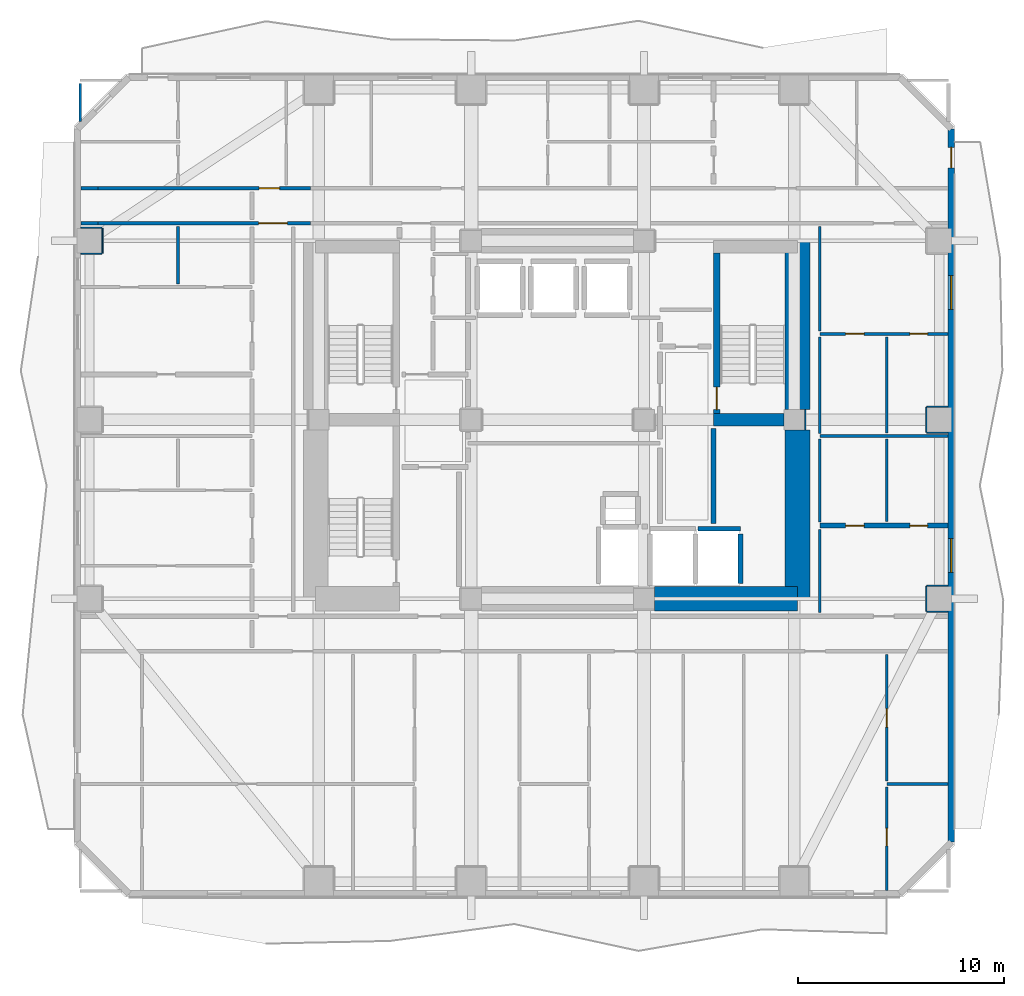
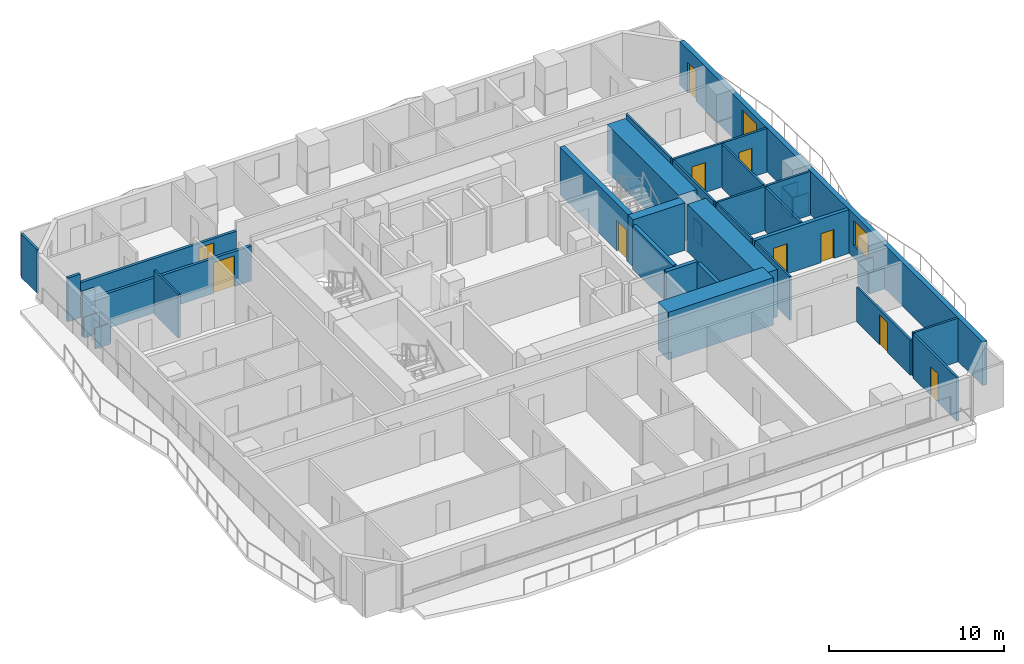
# One storey, part 5 of 11: 37 walls, 10 doors, 2 windows, 12 openings.
"""IFC4 building model written with IfcOpenShell, lengths in metres."""

from ifc_helpers import new_model, si_unit, direction, frame, frame_2d, origin, place, context, subcontext, project, spatial, rectangle, extrude, material, layer, layer_set, type_object, element, fill, save


model = new_model("IFC4")

# Units and contexts
model_context = context("Model", 3, precision=1e-05, world=origin(), true_north=direction((0.0, 1.0)))
body_context = subcontext(model_context, "Body", "Model", "MODEL_VIEW")
ifc_project = project(units=[si_unit("LENGTHUNIT", "METRE"), si_unit("AREAUNIT", "SQUARE_METRE"), si_unit("VOLUMEUNIT", "CUBIC_METRE"), si_unit("PLANEANGLEUNIT", "RADIAN"), si_unit("MASSUNIT", "GRAM", prefix="KILO")], contexts=[model_context])

# Site, building, storey
site_placement = place(None, origin())
site = spatial("IfcSite", under=ifc_project, at=site_placement, CompositionType="ELEMENT")
building_placement = place(site_placement, origin())
building = spatial("IfcBuilding", under=site, at=building_placement, Name="Solanera Arch Residences", CompositionType="ELEMENT")
storey_placement = place(building_placement, frame((0.0, 0.0, 25.320068359375)))
storey = spatial("IfcBuildingStorey", under=building, at=storey_placement, Name="L06", CompositionType="ELEMENT", Elevation=25.320068359375)

# Walls
ifc_material_1 = material(Name="Fire-Rated Gypsum Stud Partition", Category="gypsum")
ifc_layer_1 = layer(ifc_material_1, 0.06005859375)
ifc_layer_set_1 = layer_set([ifc_layer_1], Name="Fire-Rated Gypsum Stud Partition")
wall_type_1 = type_object("IfcWallType", Name="Column Acoustic Furring Wall 60", PredefinedType="PARTITIONING", material=ifc_layer_set_1)
wall_1_placement = place(storey_placement, frame((37.031982421875, 30.2099609375, 0.0), z_axis=(0.0, 0.0, 1.0), x_axis=(0.0, 1.0, 0.0)))
element("IfcWall", 1, at=wall_1_placement, inside=storey, type_object=wall_type_1, Name="L06 Column Furring 6E", PredefinedType="PARTITIONING", context=body_context, shape_type="SweptSolid", body=[
    extrude(rectangle(XDim=0.97998046875, YDim=0.06005859375, at=frame_2d((0.489990234375, 0.0))), origin(), (0.0, 0.0, 1.0), 1.449951171875),
])
for number, where, z_axis, x_axis, name in (
    (2, (42.949951171875, 21.367919921875, 0.0), (0.0, 0.0, 1.0), (1.0, 0.0, 0.0), "L06 Column Furring 18S"),
    (3, (42.949951171875, 22.632080078125, 0.0), (0.0, 0.0, 1.0), (1.0, 0.0, 0.0), "L06 Column Furring 18N"),
):
    element("IfcWall", number, at=place(storey_placement, frame(where, z_axis=z_axis, x_axis=x_axis)), inside=storey, type_object=wall_type_1, Name=name, PredefinedType="PARTITIONING", context=body_context, shape_type="SweptSolid", body=[
        extrude(rectangle(XDim=1.02001953125, YDim=0.06005859375, at=frame_2d((0.510009765625, 0.0))), origin(), (0.0, 0.0, 1.0), 1.449951171875),
    ])
wall_2_placement = place(storey_placement, frame((42.91796875, 21.39990234375, 0.0), z_axis=(0.0, 0.0, 1.0), x_axis=(0.0, 1.0, 0.0)))
element("IfcWall", 4, at=wall_2_placement, inside=storey, type_object=wall_type_1, Name="L06 Column Furring 18W", PredefinedType="PARTITIONING", context=body_context, shape_type="SweptSolid", body=[
    extrude(rectangle(XDim=1.2001953125, YDim=0.06005859375, at=frame_2d((0.60009765625, 0.0))), origin(), (0.0, 0.0, 1.0), 1.449951171875),
])
for number, where, z_axis, x_axis, name in (
    (5, (42.949951171875, 30.068115234375, 0.0), (0.0, 0.0, 1.0), (1.0, 0.0, 0.0), "L06 Column Furring 20S"),
    (6, (42.949951171875, 31.33203125, 0.0), (0.0, 0.0, 1.0), (1.0, 0.0, 0.0), "L06 Column Furring 20N"),
):
    element("IfcWall", number, at=place(storey_placement, frame(where, z_axis=z_axis, x_axis=x_axis)), inside=storey, type_object=wall_type_1, Name=name, PredefinedType="PARTITIONING", context=body_context, shape_type="SweptSolid", body=[
        extrude(rectangle(XDim=1.02001953125, YDim=0.06005859375, at=frame_2d((0.510009765625, 0.0))), origin(), (0.0, 0.0, 1.0), 1.449951171875),
    ])
wall_3_placement = place(storey_placement, frame((42.91796875, 30.10009765625, 0.0), z_axis=(0.0, 0.0, 1.0), x_axis=(0.0, 1.0, 0.0)))
element("IfcWall", 7, at=wall_3_placement, inside=storey, type_object=wall_type_1, Name="L06 Column Furring 20W", PredefinedType="PARTITIONING", context=body_context, shape_type="SweptSolid", body=[
    extrude(rectangle(XDim=1.199951171875, YDim=0.06005859375, at=frame_2d((0.60009765625, 0.0))), origin(), (0.0, 0.0, 1.0), 1.449951171875),
])
for number, where, z_axis, x_axis, name in (
    (8, (1.830078125, 38.76806640625, 0.0), (0.0, 0.0, 1.0), (1.0, 0.0, 0.0), "L06 Column Furring 21S"),
    (9, (1.830078125, 40.031982421875, 0.0), (0.0, 0.0, 1.0), (1.0, 0.0, 0.0), "L06 Column Furring 21N"),
):
    element("IfcWall", number, at=place(storey_placement, frame(where, z_axis=z_axis, x_axis=x_axis)), inside=storey, type_object=wall_type_1, Name=name, PredefinedType="PARTITIONING", context=body_context, shape_type="SweptSolid", body=[
        extrude(rectangle(XDim=1.02001953125, YDim=0.06005859375, at=frame_2d((0.510009765625, 0.0))), origin(), (0.0, 0.0, 1.0), 1.449951171875),
    ])
wall_4_placement = place(storey_placement, frame((2.882080078125, 38.800048828125, 0.0), z_axis=(0.0, 0.0, 1.0), x_axis=(0.0, 1.0, 0.0)))
element("IfcWall", 10, at=wall_4_placement, inside=storey, type_object=wall_type_1, Name="L06 Column Furring 21E", PredefinedType="PARTITIONING", context=body_context, shape_type="SweptSolid", body=[
    extrude(rectangle(XDim=1.199951171875, YDim=0.06005859375, at=frame_2d((0.60009765625, 0.0))), origin(), (0.0, 0.0, 1.0), 1.449951171875),
])
ifc_material_2 = material(Name="Concrete C55/67 (f'c = 60 MPa)", Category="concrete")
ifc_layer_2 = layer(ifc_material_2, 1.199951171875)
ifc_layer_set_2 = layer_set([ifc_layer_2], Name="Concrete C55/67 (f'c = 60 MPa)")
wall_type_2 = type_object("IfcWallType", Name="Core Shear Wall CW-1200", PredefinedType="SHEAR", material=ifc_layer_set_2)
wall_5_placement = place(storey_placement, frame((36.659912109375, 22.0, 0.0), z_axis=(0.0, 0.0, 1.0), x_axis=(0.0, 1.0, 0.0)))
element("IfcWall", 11, at=wall_5_placement, inside=storey, type_object=wall_type_2, Name="L06 East Core South Shear Wall", PredefinedType="SHEAR", context=body_context, shape_type="SweptSolid", body=[
    extrude(rectangle(XDim=8.195068359375, YDim=1.199951171875, at=frame_2d((4.09765625, 0.0))), origin(), (0.0, 0.0, 1.0), 3.31982421875),
])
wall_6_placement = place(storey_placement, frame((36.659912109375, 31.205078125, 0.0), z_axis=(0.0, 0.0, 1.0), x_axis=(0.0, 1.0, 0.0)))
element("IfcWall", 12, at=wall_6_placement, inside=storey, type_object=wall_type_2, Name="L06 East Core North Shear Wall", PredefinedType="SHEAR", context=body_context, shape_type="SweptSolid", body=[
    extrude(rectangle(XDim=8.19482421875, YDim=1.199951171875, at=frame_2d((4.097412109375, 0.0))), origin(), (0.0, 0.0, 1.0), 3.31982421875),
])
wall_7_placement = place(storey_placement, frame((29.705078125, 22.0, 0.0), z_axis=(0.0, 0.0, 1.0), x_axis=(1.0, 0.0, 0.0)))
element("IfcWall", 13, at=wall_7_placement, inside=storey, type_object=wall_type_2, Name="L06 South-East Core Shear Wall", PredefinedType="SHEAR", context=body_context, shape_type="SweptSolid", body=[
    extrude(rectangle(XDim=6.954833984375, YDim=1.199951171875, at=frame_2d((3.4775390625, 0.0))), origin(), (0.0, 0.0, 1.0), 3.31982421875),
])

# Wall, opening, door
ifc_material_3 = material(Name="Concrete C40/50 (f'c = 45 MPa)", Category="concrete")
ifc_layer_3 = layer(ifc_material_3, 0.320068359375)
ifc_layer_set_3 = layer_set([ifc_layer_3], Name="Concrete C40/50 (f'c = 45 MPa)")
wall_type_3 = type_object("IfcWallType", Name="Core Shear Wall CW-320", PredefinedType="SHEAR", material=ifc_layer_set_3)
wall_8_placement = place(storey_placement, frame((32.739990234375, 31.0, 0.0), z_axis=(0.0, 0.0, 1.0), x_axis=(0.0, 1.0, 0.0)))
wall_8 = element("IfcWall", 14, at=wall_8_placement, inside=storey, type_object=wall_type_3, Name="L06 Stair ST-T2 West Shear Wall", PredefinedType="SHEAR", context=body_context, shape_type="SweptSolid", body=[
    extrude(rectangle(XDim=7.800048828125, YDim=0.320068359375, at=frame_2d((3.89990234375, 0.0))), origin(), (0.0, 0.0, 1.0), 3.31982421875),
])
opening_1_placement = place(wall_8_placement, frame((0.18994140625, 0.0, 0.0)))
opening_1 = element("IfcOpeningElement", 15, at=opening_1_placement, cuts=wall_8, Name="Opening DF-01", PredefinedType="OPENING", context=body_context, shape_type="SweptSolid", body=[
    extrude(rectangle(XDim=1.10009765625, YDim=2.14990234375, at=frame_2d((0.550048828125, 1.074951171875))), frame((0.0, 0.169921875, 0.0), z_axis=(0.0, -1.0, 0.0), x_axis=(1.0, 0.0, 0.0)), (0.0, 0.0, 1.0), 0.3401),
])
ifc_material_4 = material(Name="Fire-Rated Architectural Hardwood", Category="wood")
door_type_1 = type_object("IfcDoorType", Name="Stair Exit Fire Door DF-01", OperationType="NOTDEFINED", PredefinedType="DOOR", material=ifc_material_4)
door_1_placement = place(opening_1_placement, origin())
door_1 = element("IfcDoor", 16, at=door_1_placement, inside=storey, type_object=door_type_1, Name="DR-L06-STAIR-ST-T2", OperationType="SINGLE_SWING_RIGHT", OverallHeight=2.14990234375, OverallWidth=1.10009765625, PredefinedType="DOOR", context=body_context, shape_type="SweptSolid", body=[
    extrude(rectangle(XDim=1.10009765625, YDim=2.14990234375, at=frame_2d((0.550048828125, 1.074951171875))), frame((0.0, 0.02490234375, 0.0), z_axis=(0.0, -1.0, 0.0), x_axis=(1.0, 0.0, 0.0)), (0.0, 0.0, 1.0), 0.050048828125),
])
fill(opening_1, door_1)

# Walls
ifc_material_5 = material(Name="Concrete C40/50 (f'c = 45 MPa)", Category="concrete")
ifc_layer_4 = layer(ifc_material_5, 0.60009765625)
ifc_layer_set_4 = layer_set([ifc_layer_4], Name="Concrete C40/50 (f'c = 45 MPa)")
wall_type_4 = type_object("IfcWallType", Name="Core Shear Wall CW-600", PredefinedType="SHEAR", material=ifc_layer_set_4)
wall_9_placement = place(storey_placement, frame((32.580078125, 30.699951171875, 0.0), z_axis=(0.0, 0.0, 1.0), x_axis=(1.0, 0.0, 0.0)))
element("IfcWall", 17, at=wall_9_placement, inside=storey, type_object=wall_type_4, Name="L06 East Stair Far-Landing Shear Wall", PredefinedType="SHEAR", context=body_context, shape_type="SweptSolid", body=[
    extrude(rectangle(XDim=3.4150390625, YDim=0.60009765625, at=frame_2d((1.70751953125, 0.0))), origin(), (0.0, 0.0, 1.0), 3.31982421875),
])
ifc_material_6 = material(Name="Autoclaved Aerated Concrete Blockwork", Category="masonry")
ifc_layer_5 = layer(ifc_material_6, 0.179931640625)
ifc_layer_set_5 = layer_set([ifc_layer_5], Name="Autoclaved Aerated Concrete Blockwork")
wall_type_5 = type_object("IfcWallType", Name="Corridor Fire Partition 180", PredefinedType="PARTITIONING", material=ifc_layer_set_5)
wall_10_placement = place(storey_placement, frame((1.826904296875, 40.25, 0.0), z_axis=(0.0, 0.0, 1.0), x_axis=(1.0, 0.0, 0.0)))
element("IfcWall", 18, at=wall_10_placement, inside=storey, type_object=wall_type_5, Name="L06 Interior Partition H12 1", PredefinedType="PARTITIONING", context=body_context, shape_type="SweptSolid", body=[
    extrude(rectangle(XDim=0.833984375, YDim=0.179931640625, at=frame_2d((0.4169921875, 0.0))), origin(), (0.0, 0.0, 1.0), 3.059814453125),
])

# Wall, opening, door
wall_11_placement = place(storey_placement, frame((2.660888671875, 40.25, 0.0), z_axis=(0.0, 0.0, 1.0), x_axis=(1.0, 0.0, 0.0)))
wall_11 = element("IfcWall", 19, at=wall_11_placement, inside=storey, type_object=wall_type_5, Name="L06 Interior Partition H12 2", PredefinedType="PARTITIONING", context=body_context, shape_type="SweptSolid", body=[
    extrude(rectangle(XDim=10.328125, YDim=0.179931640625, at=frame_2d((5.1640625, 0.0))), origin(), (0.0, 0.0, 1.0), 2.44482421875),
])
opening_2_placement = place(wall_11_placement, frame((7.81298828125, 0.0, 0.0)))
opening_2 = element("IfcOpeningElement", 20, at=opening_2_placement, cuts=wall_11, Name="Opening DF-03", PredefinedType="OPENING", context=body_context, shape_type="SweptSolid", body=[
    extrude(rectangle(XDim=1.39990234375, YDim=2.14990234375, at=frame_2d((0.699951171875, 1.074951171875))), frame((0.0, 0.10009765625, 0.0), z_axis=(0.0, -1.0, 0.0), x_axis=(1.0, 0.0, 0.0)), (0.0, 0.0, 1.0), 0.1999),
])
ifc_material_7 = material(Name="Fire-Rated Architectural Hardwood", Category="wood")
door_type_2 = type_object("IfcDoorType", Name="Corridor Smoke Door DF-03", OperationType="NOTDEFINED", PredefinedType="DOOR", material=ifc_material_7)
door_2_placement = place(opening_2_placement, origin())
door_2 = element("IfcDoor", 21, at=door_2_placement, inside=storey, type_object=door_type_2, Name="DR-L06-IN-011", OperationType="SINGLE_SWING_LEFT", OverallHeight=2.14990234375, OverallWidth=1.39990234375, PredefinedType="DOOR", context=body_context, shape_type="SweptSolid", body=[
    extrude(rectangle(XDim=1.39990234375, YDim=2.14990234375, at=frame_2d((0.699951171875, 1.074951171875))), frame((0.0, 0.02490234375, 0.0), z_axis=(0.0, -1.0, 0.0), x_axis=(1.0, 0.0, 0.0)), (0.0, 0.0, 1.0), 0.050048828125),
])
fill(opening_2, door_2)

# Wall
wall_12_placement = place(storey_placement, frame((1.826904296875, 41.949951171875, 0.0), z_axis=(0.0, 0.0, 1.0), x_axis=(1.0, 0.0, 0.0)))
element("IfcWall", 22, at=wall_12_placement, inside=storey, type_object=wall_type_5, Name="L06 Interior Partition H13 1", PredefinedType="PARTITIONING", context=body_context, shape_type="SweptSolid", body=[
    extrude(rectangle(XDim=0.833984375, YDim=0.179931640625, at=frame_2d((0.4169921875, 0.0))), origin(), (0.0, 0.0, 1.0), 3.059814453125),
])

# Wall, opening, door
wall_13_placement = place(storey_placement, frame((2.660888671875, 41.949951171875, 0.0), z_axis=(0.0, 0.0, 1.0), x_axis=(1.0, 0.0, 0.0)))
wall_13 = element("IfcWall", 23, at=wall_13_placement, inside=storey, type_object=wall_type_5, Name="L06 Interior Partition H13 2", PredefinedType="PARTITIONING", context=body_context, shape_type="SweptSolid", body=[
    extrude(rectangle(XDim=10.328125, YDim=0.179931640625, at=frame_2d((5.1640625, 0.0))), origin(), (0.0, 0.0, 1.0), 2.44482421875),
])
opening_3_placement = place(wall_13_placement, frame((7.833984375, 0.0, 0.0)))
opening_3 = element("IfcOpeningElement", 24, at=opening_3_placement, cuts=wall_13, Name="Opening DI-01", PredefinedType="OPENING", context=body_context, shape_type="SweptSolid", body=[
    extrude(rectangle(XDim=1.0, YDim=2.14990234375, at=frame_2d((0.5, 1.074951171875))), frame((0.0, 0.10009765625, 0.0), z_axis=(0.0, -1.0, 0.0), x_axis=(1.0, 0.0, 0.0)), (0.0, 0.0, 1.0), 0.1999),
])
ifc_material_8 = material(Name="Fire-Rated Architectural Hardwood", Category="wood")
door_type_3 = type_object("IfcDoorType", Name="Unit Entrance Fire Door DI-01", OperationType="NOTDEFINED", PredefinedType="DOOR", material=ifc_material_8)
door_3_placement = place(opening_3_placement, origin())
door_3 = element("IfcDoor", 25, at=door_3_placement, inside=storey, type_object=door_type_3, Name="DR-L06-IN-027", OperationType="SINGLE_SWING_LEFT", OverallHeight=2.14990234375, OverallWidth=1.0, PredefinedType="DOOR", context=body_context, shape_type="SweptSolid", body=[
    extrude(rectangle(XDim=1.0, YDim=2.14990234375, at=frame_2d((0.5, 1.074951171875))), frame((0.0, 0.02490234375, 0.0), z_axis=(0.0, -1.0, 0.0), x_axis=(1.0, 0.0, 0.0)), (0.0, 0.0, 1.0), 0.050048828125),
])
fill(opening_3, door_3)

# Wall, openings, door, windows
ifc_material_9 = material(Name="Precast Concrete C35/45", Category="concrete")
ifc_layer_6 = layer(ifc_material_9, 0.300048828125)
ifc_layer_set_6 = layer_set([ifc_layer_6], Name="Precast Concrete C35/45")
wall_type_6 = type_object("IfcWallType", Name="Exterior Wall Precast Masonry-Frame 300", PredefinedType="STANDARD", material=ifc_layer_set_6)
wall_14_placement = place(storey_placement, frame((44.135009765625, 44.8349609375, 0.0), z_axis=(0.0, 0.0, 1.0), x_axis=(0.0, -1.0, 0.0)))
wall_14 = element("IfcWall", 26, at=wall_14_placement, inside=storey, type_object=wall_type_6, Name="L06 Tower Exterior Precast Masonry-Frame Wall E", PredefinedType="STANDARD", context=body_context, shape_type="SweptSolid", body=[
    extrude(rectangle(XDim=34.669921875, YDim=0.300048828125, at=frame_2d((17.3349609375, 0.0))), origin(), (0.0, 0.0, 1.0), 3.059814453125),
])
opening_4_placement = place(wall_14_placement, frame((0.90087890625, 0.0, 0.0)))
opening_4 = element("IfcOpeningElement", 27, at=opening_4_placement, cuts=wall_14, Name="Opening DB-01", PredefinedType="OPENING", context=body_context, shape_type="SweptSolid", body=[
    extrude(rectangle(XDim=1.0, YDim=2.14990234375, at=frame_2d((0.5, 1.074951171875))), frame((0.0, 0.159912109375, 0.0), z_axis=(0.0, -1.0, 0.0), x_axis=(1.0, 0.0, 0.0)), (0.0, 0.0, 1.0), 0.32),
])
opening_5_placement = place(wall_14_placement, frame((19.909912109375, 0.0, 0.85009765625)))
opening_5 = element("IfcOpeningElement", 28, at=opening_5_placement, cuts=wall_14, Name="Opening W-08", PredefinedType="OPENING", context=body_context, shape_type="SweptSolid", body=[
    extrude(rectangle(XDim=1.64990234375, YDim=1.75, at=frame_2d((0.824951171875, 0.875))), frame((0.0, 0.159912109375, 0.0), z_axis=(0.0, -1.0, 0.0), x_axis=(1.0, 0.0, 0.0)), (0.0, 0.0, 1.0), 0.32),
])
opening_6_placement = place(wall_14_placement, frame((7.1259765625, 0.0, 0.85009765625)))
opening_6 = element("IfcOpeningElement", 29, at=opening_6_placement, cuts=wall_14, Name="Opening W-08", PredefinedType="OPENING", context=body_context, shape_type="SweptSolid", body=[
    extrude(rectangle(XDim=1.64990234375, YDim=1.75, at=frame_2d((0.824951171875, 0.875))), frame((0.0, 0.159912109375, 0.0), z_axis=(0.0, -1.0, 0.0), x_axis=(1.0, 0.0, 0.0)), (0.0, 0.0, 1.0), 0.32),
])
ifc_material_10 = material(Name="Anodised Aluminium Alloy 6063-T6", Category="aluminium")
door_type_4 = type_object("IfcDoorType", Name="Glazed Balcony Swing Door DB-01", OperationType="NOTDEFINED", PredefinedType="DOOR", material=ifc_material_10)
door_4_placement = place(opening_4_placement, origin())
door_4 = element("IfcDoor", 30, at=door_4_placement, inside=storey, type_object=door_type_4, Name="DR-L06-OUT-03", OperationType="SINGLE_SWING_RIGHT", OverallHeight=2.14990234375, OverallWidth=1.0, PredefinedType="DOOR", context=body_context, shape_type="SweptSolid", body=[
    extrude(rectangle(XDim=1.0, YDim=2.14990234375, at=frame_2d((0.5, 1.074951171875))), frame((0.0, 0.02490234375, 0.0), z_axis=(0.0, -1.0, 0.0), x_axis=(1.0, 0.0, 0.0)), (0.0, 0.0, 1.0), 0.050048828125),
])
fill(opening_4, door_4)
ifc_material_11 = material(Name="Double Glazed Low-E Laminated Glass", Category="glass")
window_type = type_object("IfcWindowType", Name="Punched Window W-08", PartitioningType="DOUBLE_PANEL_HORIZONTAL", PredefinedType="WINDOW", material=ifc_material_11)
window_1_placement = place(opening_5_placement, origin())
window_1 = element("IfcWindow", 31, at=window_1_placement, inside=storey, type_object=window_type, Name="L06 0610-LIV Punched Window", OverallHeight=1.75, OverallWidth=1.64990234375, PartitioningType="SINGLE_PANEL", PredefinedType="WINDOW", context=body_context, shape_type="SweptSolid", body=[
    extrude(rectangle(XDim=1.64990234375, YDim=1.75, at=frame_2d((0.824951171875, 0.875))), frame((0.0, 0.030029296875, 0.0), z_axis=(0.0, -1.0, 0.0), x_axis=(1.0, 0.0, 0.0)), (0.0, 0.0, 1.0), 0.06005859375),
])
fill(opening_5, window_1)
window_2_placement = place(opening_6_placement, origin())
window_2 = element("IfcWindow", 32, at=window_2_placement, inside=storey, type_object=window_type, Name="L06 0611-LIV Punched Window", OverallHeight=1.75, OverallWidth=1.64990234375, PartitioningType="SINGLE_PANEL", PredefinedType="WINDOW", context=body_context, shape_type="SweptSolid", body=[
    extrude(rectangle(XDim=1.64990234375, YDim=1.75, at=frame_2d((0.824951171875, 0.875))), frame((0.0, 0.030029296875, 0.0), z_axis=(0.0, -1.0, 0.0), x_axis=(1.0, 0.0, 0.0)), (0.0, 0.0, 1.0), 0.06005859375),
])
fill(opening_6, window_2)

# Walls
ifc_material_12 = material(Name="Autoclaved Aerated Concrete Blockwork", Category="masonry")
ifc_layer_7 = layer(ifc_material_12, 0.239990234375)
ifc_layer_set_7 = layer_set([ifc_layer_7], Name="Autoclaved Aerated Concrete Blockwork")
wall_type_7 = type_object("IfcWallType", Name="Shaft Wall Fire-Rated 240", PredefinedType="PARTITIONING", material=ifc_layer_set_7)
wall_15_placement = place(storey_placement, frame((31.827880859375, 25.39990234375, 0.0), z_axis=(0.0, 0.0, 1.0), x_axis=(1.0, 0.0, 0.0)))
element("IfcWall", 33, at=wall_15_placement, inside=storey, type_object=wall_type_7, Name="L06 Lift FFL-2 Hoistway Wall N", PredefinedType="PARTITIONING", context=body_context, shape_type="SweptSolid", body=[
    extrude(rectangle(XDim=2.072021484375, YDim=0.239990234375, at=frame_2d((1.0361328125, 0.0))), origin(), (0.0, 0.0, 1.0), 3.059814453125),
])
wall_16_placement = place(storey_placement, frame((33.89990234375, 22.72998046875, 0.0), z_axis=(0.0, 0.0, 1.0), x_axis=(0.0, 1.0, 0.0)))
element("IfcWall", 34, at=wall_16_placement, inside=storey, type_object=wall_type_7, Name="L06 Lift FFL-2 Hoistway Wall E", PredefinedType="PARTITIONING", context=body_context, shape_type="SweptSolid", body=[
    extrude(rectangle(XDim=2.422119140625, YDim=0.239990234375, at=frame_2d((1.2109375, 0.0))), origin(), (0.0, 0.0, 1.0), 3.059814453125),
])

# Wall, openings, doors
wall_17_placement = place(storey_placement, frame((37.75, 25.550048828125, 0.0), z_axis=(0.0, 0.0, 1.0), x_axis=(1.0, 0.0, 0.0)))
wall_17 = element("IfcWall", 35, at=wall_17_placement, inside=storey, type_object=wall_type_7, Name="L06 Interior Partition H3", PredefinedType="PARTITIONING", context=body_context, shape_type="SweptSolid", body=[
    extrude(rectangle(XDim=6.222900390625, YDim=0.239990234375, at=frame_2d((3.111328125, 0.0))), origin(), (0.0, 0.0, 1.0), 3.059814453125),
])
opening_7_placement = place(wall_17_placement, frame((1.25, 0.0, 0.0)))
opening_7 = element("IfcOpeningElement", 36, at=opening_7_placement, cuts=wall_17, Name="Opening DI-02", PredefinedType="OPENING", context=body_context, shape_type="SweptSolid", body=[
    extrude(rectangle(XDim=0.89990234375, YDim=2.10009765625, at=frame_2d((0.449951171875, 1.050048828125))), frame((0.0, 0.1298828125, 0.0), z_axis=(0.0, -1.0, 0.0), x_axis=(1.0, 0.0, 0.0)), (0.0, 0.0, 1.0), 0.26),
])
opening_8_placement = place(wall_17_placement, frame((4.3701171875, 0.0, 0.0)))
opening_8 = element("IfcOpeningElement", 37, at=opening_8_placement, cuts=wall_17, Name="Opening DI-05", PredefinedType="OPENING", context=body_context, shape_type="SweptSolid", body=[
    extrude(rectangle(XDim=0.860107421875, YDim=2.02001953125, at=frame_2d((0.43017578125, 1.010009765625))), frame((0.0, 0.1298828125, 0.0), z_axis=(0.0, -1.0, 0.0), x_axis=(1.0, 0.0, 0.0)), (0.0, 0.0, 1.0), 0.26),
])
ifc_material_13 = material(Name="Fire-Rated Architectural Hardwood", Category="wood")
door_type_5 = type_object("IfcDoorType", Name="Bathroom Swing Door DI-05", OperationType="NOTDEFINED", PredefinedType="DOOR", material=ifc_material_13)
door_5_placement = place(opening_8_placement, origin())
door_5 = element("IfcDoor", 38, at=door_5_placement, inside=storey, type_object=door_type_5, Name="DR-L06-IN-048", OperationType="SINGLE_SWING_RIGHT", OverallHeight=2.02001953125, OverallWidth=0.860107421875, PredefinedType="DOOR", context=body_context, shape_type="SweptSolid", body=[
    extrude(rectangle(XDim=0.860107421875, YDim=2.02001953125, at=frame_2d((0.43017578125, 1.010009765625))), frame((0.0, 0.02490234375, 0.0), z_axis=(0.0, -1.0, 0.0), x_axis=(1.0, 0.0, 0.0)), (0.0, 0.0, 1.0), 0.050048828125),
])
fill(opening_8, door_5)
ifc_material_14 = material(Name="Fire-Rated Architectural Hardwood", Category="wood")
door_type_6 = type_object("IfcDoorType", Name="Suite Room Swing Door DI-02", OperationType="NOTDEFINED", PredefinedType="DOOR", material=ifc_material_14)
door_6_placement = place(opening_7_placement, origin())
door_6 = element("IfcDoor", 39, at=door_6_placement, inside=storey, type_object=door_type_6, Name="DR-L06-IN-047", OperationType="SINGLE_SWING_LEFT", OverallHeight=2.10009765625, OverallWidth=0.89990234375, PredefinedType="DOOR", context=body_context, shape_type="SweptSolid", body=[
    extrude(rectangle(XDim=0.89990234375, YDim=2.10009765625, at=frame_2d((0.449951171875, 1.050048828125))), frame((0.0, 0.02490234375, 0.0), z_axis=(0.0, -1.0, 0.0), x_axis=(1.0, 0.0, 0.0)), (0.0, 0.0, 1.0), 0.050048828125),
])
fill(opening_7, door_6)

# Walls
wall_18_placement = place(storey_placement, frame((32.580078125, 25.64794921875, 0.0), z_axis=(0.0, 0.0, 1.0), x_axis=(0.0, 1.0, 0.0)))
element("IfcWall", 40, at=wall_18_placement, inside=storey, type_object=wall_type_7, Name="L06 Interior Partition V5", PredefinedType="PARTITIONING", context=body_context, shape_type="SweptSolid", body=[
    extrude(rectangle(XDim=4.6220703125, YDim=0.239990234375, at=frame_2d((2.31103515625, 0.0))), origin(), (0.0, 0.0, 1.0), 3.059814453125),
])
ifc_material_15 = material(Name="Fire-Rated Gypsum Stud Partition", Category="gypsum")
ifc_layer_8 = layer(ifc_material_15, 0.1201171875)
ifc_layer_set_8 = layer_set([ifc_layer_8], Name="Fire-Rated Gypsum Stud Partition")
wall_type_8 = type_object("IfcWallType", Name="Unit Drywall Partition 120", PredefinedType="PARTITIONING", material=ifc_layer_set_8)
wall_19_placement = place(storey_placement, frame((37.75, 21.337890625, 0.0), z_axis=(0.0, 0.0, 1.0), x_axis=(0.0, 1.0, 0.0)))
element("IfcWall", 41, at=wall_19_placement, inside=storey, type_object=wall_type_8, Name="L06 Interior Partition V30 1", PredefinedType="PARTITIONING", context=body_context, shape_type="SweptSolid", body=[
    extrude(rectangle(XDim=4.024169921875, YDim=0.1201171875, at=frame_2d((2.01220703125, 0.0))), origin(), (0.0, 0.0, 1.0), 3.059814453125),
])
wall_20_placement = place(storey_placement, frame((37.75, 25.738037109375, 0.0), z_axis=(0.0, 0.0, 1.0), x_axis=(0.0, 1.0, 0.0)))
element("IfcWall", 42, at=wall_20_placement, inside=storey, type_object=wall_type_8, Name="L06 Interior Partition V30 2", PredefinedType="PARTITIONING", context=body_context, shape_type="SweptSolid", body=[
    extrude(rectangle(XDim=4.02392578125, YDim=0.1201171875, at=frame_2d((2.011962890625, 0.0))), origin(), (0.0, 0.0, 1.0), 3.059814453125),
])
wall_21_placement = place(storey_placement, frame((37.75, 30.0380859375, 0.0), z_axis=(0.0, 0.0, 1.0), x_axis=(0.0, 1.0, 0.0)))
element("IfcWall", 43, at=wall_21_placement, inside=storey, type_object=wall_type_8, Name="L06 Interior Partition V30 3", PredefinedType="PARTITIONING", context=body_context, shape_type="SweptSolid", body=[
    extrude(rectangle(XDim=4.69189453125, YDim=0.1201171875, at=frame_2d((2.345947265625, 0.0))), origin(), (0.0, 0.0, 1.0), 3.059814453125),
])
wall_22_placement = place(storey_placement, frame((37.75, 35.006103515625, 0.0), z_axis=(0.0, 0.0, 1.0), x_axis=(0.0, 1.0, 0.0)))
element("IfcWall", 44, at=wall_22_placement, inside=storey, type_object=wall_type_8, Name="L06 Interior Partition V30 4", PredefinedType="PARTITIONING", context=body_context, shape_type="SweptSolid", body=[
    extrude(rectangle(XDim=5.0859375, YDim=0.1201171875, at=frame_2d((2.54296875, 0.0))), origin(), (0.0, 0.0, 1.0), 3.059814453125),
])
ifc_material_16 = material(Name="Autoclaved Aerated Concrete Blockwork", Category="masonry")
ifc_layer_9 = layer(ifc_material_16, 0.139892578125)
ifc_layer_set_9 = layer_set([ifc_layer_9], Name="Autoclaved Aerated Concrete Blockwork")
wall_type_9 = type_object("IfcWallType", Name="Wet-Room Partition 140", PredefinedType="PARTITIONING", material=ifc_layer_set_9)
wall_23_placement = place(storey_placement, frame((41.0, 13.0, 0.0), z_axis=(0.0, 0.0, 1.0), x_axis=(1.0, 0.0, 0.0)))
element("IfcWall", 45, at=wall_23_placement, inside=storey, type_object=wall_type_9, Name="L06 Interior Partition H17", PredefinedType="PARTITIONING", context=body_context, shape_type="SweptSolid", body=[
    extrude(rectangle(XDim=2.972900390625, YDim=0.139892578125, at=frame_2d((1.486328125, 0.0))), origin(), (0.0, 0.0, 1.0), 3.059814453125),
])
wall_24_placement = place(storey_placement, frame((37.75, 29.89990234375, 0.0), z_axis=(0.0, 0.0, 1.0), x_axis=(1.0, 0.0, 0.0)))
element("IfcWall", 46, at=wall_24_placement, inside=storey, type_object=wall_type_9, Name="L06 Interior Partition H20", PredefinedType="PARTITIONING", context=body_context, shape_type="SweptSolid", body=[
    extrude(rectangle(XDim=6.222900390625, YDim=0.139892578125, at=frame_2d((3.111328125, 0.0))), origin(), (0.0, 0.0, 1.0), 3.059814453125),
])

# Wall, openings, doors
wall_25_placement = place(storey_placement, frame((37.75, 34.867919921875, 0.0), z_axis=(0.0, 0.0, 1.0), x_axis=(1.0, 0.0, 0.0)))
wall_25 = element("IfcWall", 47, at=wall_25_placement, inside=storey, type_object=wall_type_9, Name="L06 Interior Partition H21", PredefinedType="PARTITIONING", context=body_context, shape_type="SweptSolid", body=[
    extrude(rectangle(XDim=6.222900390625, YDim=0.139892578125, at=frame_2d((3.111328125, 0.0))), origin(), (0.0, 0.0, 1.0), 3.059814453125),
])
opening_9_placement = place(wall_25_placement, frame((1.25, 0.0, 0.0)))
opening_9 = element("IfcOpeningElement", 48, at=opening_9_placement, cuts=wall_25, Name="Opening DI-02", PredefinedType="OPENING", context=body_context, shape_type="SweptSolid", body=[
    extrude(rectangle(XDim=0.89990234375, YDim=2.10009765625, at=frame_2d((0.449951171875, 1.050048828125))), frame((0.0, 0.079833984375, 0.0), z_axis=(0.0, -1.0, 0.0), x_axis=(1.0, 0.0, 0.0)), (0.0, 0.0, 1.0), 0.1599),
])
opening_10_placement = place(wall_25_placement, frame((4.3701171875, 0.0, 0.0)))
opening_10 = element("IfcOpeningElement", 49, at=opening_10_placement, cuts=wall_25, Name="Opening DI-05", PredefinedType="OPENING", context=body_context, shape_type="SweptSolid", body=[
    extrude(rectangle(XDim=0.860107421875, YDim=2.02001953125, at=frame_2d((0.43017578125, 1.010009765625))), frame((0.0, 0.079833984375, 0.0), z_axis=(0.0, -1.0, 0.0), x_axis=(1.0, 0.0, 0.0)), (0.0, 0.0, 1.0), 0.1599),
])
door_7_placement = place(opening_10_placement, origin())
door_7 = element("IfcDoor", 50, at=door_7_placement, inside=storey, type_object=door_type_5, Name="DR-L06-IN-051", OperationType="SINGLE_SWING_LEFT", OverallHeight=2.02001953125, OverallWidth=0.860107421875, PredefinedType="DOOR", context=body_context, shape_type="SweptSolid", body=[
    extrude(rectangle(XDim=0.860107421875, YDim=2.02001953125, at=frame_2d((0.43017578125, 1.010009765625))), frame((0.0, 0.02490234375, 0.0), z_axis=(0.0, -1.0, 0.0), x_axis=(1.0, 0.0, 0.0)), (0.0, 0.0, 1.0), 0.050048828125),
])
fill(opening_10, door_7)
door_8_placement = place(opening_9_placement, origin())
door_8 = element("IfcDoor", 51, at=door_8_placement, inside=storey, type_object=door_type_6, Name="DR-L06-IN-050", OperationType="SINGLE_SWING_RIGHT", OverallHeight=2.10009765625, OverallWidth=0.89990234375, PredefinedType="DOOR", context=body_context, shape_type="SweptSolid", body=[
    extrude(rectangle(XDim=0.89990234375, YDim=2.10009765625, at=frame_2d((0.449951171875, 1.050048828125))), frame((0.0, 0.02490234375, 0.0), z_axis=(0.0, -1.0, 0.0), x_axis=(1.0, 0.0, 0.0)), (0.0, 0.0, 1.0), 0.050048828125),
])
fill(opening_9, door_8)

# Walls
wall_26_placement = place(storey_placement, frame((1.800048828125, 45.198974609375, 0.0), z_axis=(0.0, 0.0, 1.0), x_axis=(0.0, 1.0, 0.0)))
element("IfcWall", 52, at=wall_26_placement, inside=storey, type_object=wall_type_9, Name="L06 Interior Partition V13", PredefinedType="PARTITIONING", context=body_context, shape_type="SweptSolid", body=[
    extrude(rectangle(XDim=1.85302734375, YDim=0.139892578125, at=frame_2d((0.926513671875, 0.0))), origin(), (0.0, 0.0, 1.0), 3.059814453125),
])
wall_27_placement = place(storey_placement, frame((6.55908203125, 37.29296875, 0.0), z_axis=(0.0, 0.0, 1.0), x_axis=(0.0, 1.0, 0.0)))
element("IfcWall", 53, at=wall_27_placement, inside=storey, type_object=wall_type_9, Name="L06 Interior Partition V16", PredefinedType="PARTITIONING", context=body_context, shape_type="SweptSolid", body=[
    extrude(rectangle(XDim=2.7890625, YDim=0.139892578125, at=frame_2d((1.39453125, 0.0))), origin(), (0.0, 0.0, 1.0), 3.059814453125),
])

# Wall, opening, door
wall_28_placement = place(storey_placement, frame((41.0, 7.826904296875, 0.0), z_axis=(0.0, 0.0, 1.0), x_axis=(0.0, 1.0, 0.0)))
wall_28 = element("IfcWall", 54, at=wall_28_placement, inside=storey, type_object=wall_type_9, Name="L06 Interior Partition V24 1", PredefinedType="PARTITIONING", context=body_context, shape_type="SweptSolid", body=[
    extrude(rectangle(XDim=5.025146484375, YDim=0.139892578125, at=frame_2d((2.5126953125, 0.0))), origin(), (0.0, 0.0, 1.0), 3.059814453125),
])
opening_11_placement = place(wall_28_placement, frame((2.156005859375, 0.0, 0.0)))
opening_11 = element("IfcOpeningElement", 55, at=opening_11_placement, cuts=wall_28, Name="Opening DI-05", PredefinedType="OPENING", context=body_context, shape_type="SweptSolid", body=[
    extrude(rectangle(XDim=0.860107421875, YDim=2.02001953125, at=frame_2d((0.43017578125, 1.010009765625))), frame((0.0, 0.079833984375, 0.0), z_axis=(0.0, -1.0, 0.0), x_axis=(1.0, 0.0, 0.0)), (0.0, 0.0, 1.0), 0.1599),
])
door_9_placement = place(opening_11_placement, origin())
door_9 = element("IfcDoor", 56, at=door_9_placement, inside=storey, type_object=door_type_5, Name="DR-L06-IN-026", OperationType="SINGLE_SWING_RIGHT", OverallHeight=2.02001953125, OverallWidth=0.860107421875, PredefinedType="DOOR", context=body_context, shape_type="SweptSolid", body=[
    extrude(rectangle(XDim=0.860107421875, YDim=2.02001953125, at=frame_2d((0.43017578125, 1.010009765625))), frame((0.0, 0.02490234375, 0.0), z_axis=(0.0, -1.0, 0.0), x_axis=(1.0, 0.0, 0.0)), (0.0, 0.0, 1.0), 0.050048828125),
])
fill(opening_11, door_9)

wall_29_placement = place(storey_placement, frame((41.0, 13.14794921875, 0.0), z_axis=(0.0, 0.0, 1.0), x_axis=(0.0, 1.0, 0.0)))
wall_29 = element("IfcWall", 57, at=wall_29_placement, inside=storey, type_object=wall_type_9, Name="L06 Interior Partition V24 2", PredefinedType="PARTITIONING", context=body_context, shape_type="SweptSolid", body=[
    extrude(rectangle(XDim=6.134033203125, YDim=0.139892578125, at=frame_2d((3.06689453125, 0.0))), origin(), (0.0, 0.0, 1.0), 2.44482421875),
])
opening_12_placement = place(wall_29_placement, frame((2.614013671875, 0.0, 0.0)))
opening_12 = element("IfcOpeningElement", 58, at=opening_12_placement, cuts=wall_29, Name="Opening DI-02", PredefinedType="OPENING", context=body_context, shape_type="SweptSolid", body=[
    extrude(rectangle(XDim=0.89990234375, YDim=2.10009765625, at=frame_2d((0.449951171875, 1.050048828125))), frame((0.0, 0.079833984375, 0.0), z_axis=(0.0, -1.0, 0.0), x_axis=(1.0, 0.0, 0.0)), (0.0, 0.0, 1.0), 0.1599),
])
door_10_placement = place(opening_12_placement, origin())
door_10 = element("IfcDoor", 59, at=door_10_placement, inside=storey, type_object=door_type_6, Name="DR-L06-IN-025", OperationType="SINGLE_SWING_LEFT", OverallHeight=2.10009765625, OverallWidth=0.89990234375, PredefinedType="DOOR", context=body_context, shape_type="SweptSolid", body=[
    extrude(rectangle(XDim=0.89990234375, YDim=2.10009765625, at=frame_2d((0.449951171875, 1.050048828125))), frame((0.0, 0.02490234375, 0.0), z_axis=(0.0, -1.0, 0.0), x_axis=(1.0, 0.0, 0.0)), (0.0, 0.0, 1.0), 0.050048828125),
])
fill(opening_12, door_10)

# Walls
wall_30_placement = place(storey_placement, frame((41.0, 25.748046875, 0.0), z_axis=(0.0, 0.0, 1.0), x_axis=(0.0, 1.0, 0.0)))
element("IfcWall", 60, at=wall_30_placement, inside=storey, type_object=wall_type_9, Name="L06 Interior Partition V25 1", PredefinedType="PARTITIONING", context=body_context, shape_type="SweptSolid", body=[
    extrude(rectangle(XDim=4.00390625, YDim=0.139892578125, at=frame_2d((2.001953125, 0.0))), origin(), (0.0, 0.0, 1.0), 3.059814453125),
])
wall_31_placement = place(storey_placement, frame((41.0, 30.048095703125, 0.0), z_axis=(0.0, 0.0, 1.0), x_axis=(0.0, 1.0, 0.0)))
element("IfcWall", 61, at=wall_31_placement, inside=storey, type_object=wall_type_9, Name="L06 Interior Partition V25 2", PredefinedType="PARTITIONING", context=body_context, shape_type="SweptSolid", body=[
    extrude(rectangle(XDim=4.671875, YDim=0.139892578125, at=frame_2d((2.3359375, 0.0))), origin(), (0.0, 0.0, 1.0), 3.059814453125),
])

save(model, "model.ifc")
